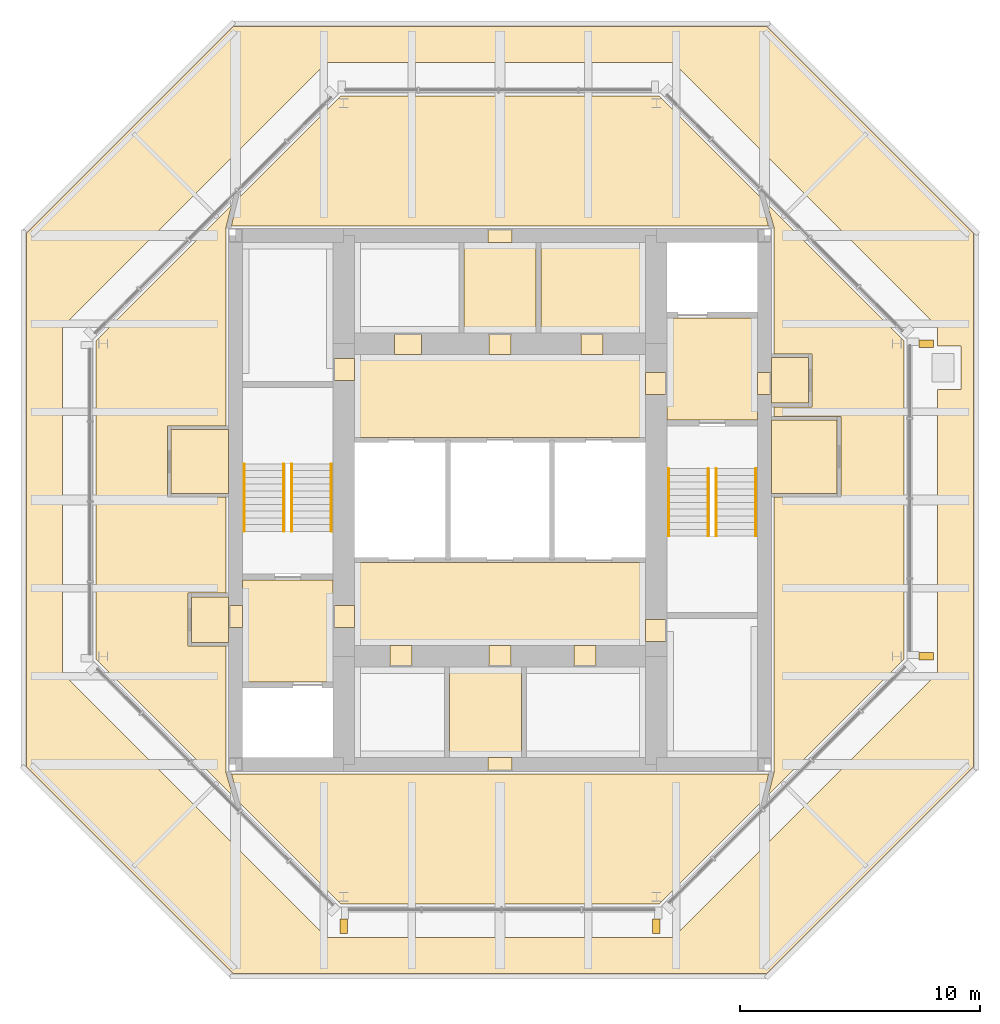
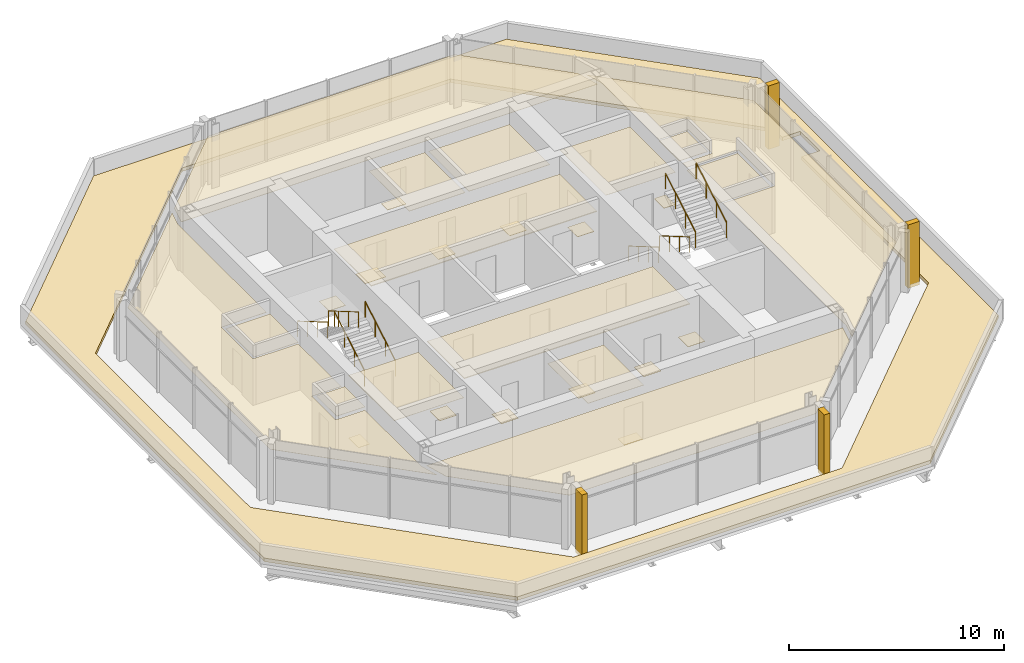
# One storey, part 10 of 10: 34 coverings, 8 railings.
"""IFC4 building model written with IfcOpenShell, lengths in metres."""

from ifc_helpers import new_model, si_unit, direction, frame, origin, origin_2d, place, context, subcontext, project, spatial, polyline, rectangle, circle, outline, extrude, material, layer, layer_set, type_object, element, save


model = new_model("IFC4")

# Units and contexts
model_context = context("Model", 3, precision=1e-05, world=origin(), true_north=direction((0.0, 1.0)))
body_context = subcontext(model_context, "Body", "Model", "MODEL_VIEW")
ifc_project = project(units=[si_unit("LENGTHUNIT", "METRE"), si_unit("AREAUNIT", "SQUARE_METRE"), si_unit("VOLUMEUNIT", "CUBIC_METRE"), si_unit("PLANEANGLEUNIT", "RADIAN"), si_unit("MASSUNIT", "GRAM", prefix="KILO")], contexts=[model_context])

# Site, building, storey
site_placement = place(None, origin())
site = spatial("IfcSite", under=ifc_project, at=site_placement, CompositionType="ELEMENT")
building_placement = place(site_placement, origin())
building = spatial("IfcBuilding", under=site, at=building_placement, Name="Trevanion Tower", CompositionType="ELEMENT")
storey_placement = place(building_placement, frame((0.0, 0.0, 263.199951171875)))
storey = spatial("IfcBuildingStorey", under=building, at=storey_placement, Name="L64", CompositionType="ELEMENT", Elevation=263.199951171875)

# Coverings
ifc_material_1 = material(Name="Fibrous plaster coffers on suspended steel grid", Category="steel")
ifc_layer_1 = layer(ifc_material_1, 0.050048828125)
ifc_layer_set_1 = layer_set([ifc_layer_1], Name="CL1 coffered fibrous plaster ceiling 50")
covering_type_1 = type_object("IfcCoveringType", Name="CL1 coffered fibrous plaster ceiling 50", PredefinedType="CEILING", material=ifc_layer_set_1)
covering_1_placement = place(storey_placement, frame((0.0, 0.0, 2.530029296875)))
element("IfcCovering", 1, at=covering_1_placement, inside=storey, type_object=covering_type_1, Name="CL1 L64-LBN", PredefinedType="CEILING", context=body_context, shape_type="SweptSolid", body=[
    extrude(outline(polyline([(6.050048828125, 2.60009765625), (6.050048828125, 6.050048828125), (-6.050048828125, 6.050048828125), (-6.050048828125, 2.60009765625), (6.050048828125, 2.60009765625)])), origin(), (0.0, 0.0, 1.0), 0.050048828125),
])
covering_2_placement = place(storey_placement, frame((0.0, 0.0, 2.530029296875)))
element("IfcCovering", 2, at=covering_2_placement, inside=storey, type_object=covering_type_1, Name="CL1 L64-LBS", PredefinedType="CEILING", context=body_context, shape_type="SweptSolid", body=[
    extrude(outline(polyline([(6.050048828125, -6.050048828125), (6.050048828125, -2.60009765625), (-6.050048828125, -2.60009765625), (-6.050048828125, -6.050048828125), (6.050048828125, -6.050048828125)])), origin(), (0.0, 0.0, 1.0), 0.050048828125),
])
ifc_material_2 = material(Name="Mineral fibre acoustic tiles in exposed grid", Category="mineral fibre")
ifc_layer_2 = layer(ifc_material_2, 0.02001953125)
ifc_layer_set_2 = layer_set([ifc_layer_2], Name="CL2 acoustic tile ceiling 20")
covering_type_2 = type_object("IfcCoveringType", Name="CL2 acoustic tile ceiling 20", PredefinedType="CEILING", material=ifc_layer_set_2)
covering_3_placement = place(storey_placement, frame((0.0, 0.0, 2.56005859375)))
element("IfcCovering", 3, at=covering_3_placement, inside=storey, type_object=covering_type_2, Name="CL2 L64-CNC", PredefinedType="CEILING", context=body_context, shape_type="SweptSolid", body=[
    extrude(outline(polyline([(1.5, 6.949951171875), (1.5, 10.699951171875), (-1.5, 10.699951171875), (-1.5, 6.949951171875), (1.5, 6.949951171875)])), origin(), (0.0, 0.0, 1.0), 0.02001953125),
])
covering_4_placement = place(storey_placement, frame((0.0, 0.0, 2.56005859375)))
element("IfcCovering", 4, at=covering_4_placement, inside=storey, type_object=covering_type_2, Name="CL2 L64-CSC", PredefinedType="CEILING", context=body_context, shape_type="SweptSolid", body=[
    extrude(outline(polyline([(0.89990234375, -10.699951171875), (0.89990234375, -6.949951171875), (-2.10009765625, -6.949951171875), (-2.10009765625, -10.699951171875), (0.89990234375, -10.699951171875)])), origin(), (0.0, 0.0, 1.0), 0.02001953125),
])
covering_5_placement = place(storey_placement, frame((0.0, 0.0, 2.634033203125)))
element("IfcCovering", 5, at=covering_5_placement, inside=storey, type_object=covering_type_2, Name="CL2 L64-RNL", PredefinedType="CEILING", context=body_context, shape_type="SweptSolid", body=[
    extrude(outline(polyline([(-6.624267578125, 16.800048828125), (6.624267578125, 16.800048828125), (10.817626953125, 12.606689453125), (11.1669921875, 11.39990234375), (-11.172119140625, 11.39990234375), (-10.8916015625, 12.53271484375), (-6.624267578125, 16.800048828125)])), origin(), (0.0, 0.0, 1.0), 0.02001953125),
])
ifc_material_3 = material(Name="Gypsum plasterboard on suspended metal furring", Category="gypsum")
ifc_layer_3 = layer(ifc_material_3, 0.012939453125)
ifc_layer_set_3 = layer_set([ifc_layer_3], Name="CL3 plasterboard ceiling 13")
covering_type_3 = type_object("IfcCoveringType", Name="CL3 plasterboard ceiling 13", PredefinedType="CEILING", material=ifc_layer_set_3)
covering_6_placement = place(storey_placement, frame((0.0, 0.0, 2.699951171875)))
element("IfcCovering", 6, at=covering_6_placement, inside=storey, type_object=covering_type_3, Name="CL3 L64-FV1", PredefinedType="CEILING", context=body_context, shape_type="SweptSolid", body=[
    extrude(outline(polyline([(10.699951171875, 3.324951171875), (10.699951171875, 7.574951171875), (6.949951171875, 7.574951171875), (6.949951171875, 3.324951171875), (10.699951171875, 3.324951171875)])), origin(), (0.0, 0.0, 1.0), 0.01318359375),
])
covering_7_placement = place(storey_placement, frame((0.0, 0.0, 2.699951171875)))
element("IfcCovering", 7, at=covering_7_placement, inside=storey, type_object=covering_type_3, Name="CL3 L64-FV2", PredefinedType="CEILING", context=body_context, shape_type="SweptSolid", body=[
    extrude(outline(polyline([(-10.699951171875, -3.324951171875), (-10.699951171875, -7.574951171875), (-6.949951171875, -7.574951171875), (-6.949951171875, -3.324951171875), (-10.699951171875, -3.324951171875)])), origin(), (0.0, 0.0, 1.0), 0.01318359375),
])
covering_8_placement = place(storey_placement, frame((0.0, 0.0, 2.567138671875)))
element("IfcCovering", 8, at=covering_8_placement, inside=storey, type_object=covering_type_3, Name="CL3 L64-RSN", PredefinedType="CEILING", context=body_context, shape_type="SweptSolid", body=[
    extrude(outline(polyline([(6.050048828125, 6.949951171875), (6.050048828125, 10.699951171875), (1.699951171875, 10.699951171875), (1.699951171875, 6.949951171875), (6.050048828125, 6.949951171875)])), origin(), (0.0, 0.0, 1.0), 0.012939453125),
])
covering_9_placement = place(storey_placement, frame((0.0, 0.0, 2.699951171875)))
element("IfcCovering", 9, at=covering_9_placement, inside=storey, type_object=covering_type_3, Name="CL3 L64-REE", PredefinedType="CEILING", context=body_context, shape_type="SweptSolid", body=[
    extrude(outline(polyline([(12.824951171875, 4.02490234375), (12.824951171875, 5.925048828125), (11.300048828125, 5.925048828125), (11.300048828125, 4.02490234375), (12.824951171875, 4.02490234375)])), origin(), (0.0, 0.0, 1.0), 0.01318359375),
])
covering_10_placement = place(storey_placement, frame((0.0, 0.0, 2.64111328125)))
element("IfcCovering", 10, at=covering_10_placement, inside=storey, type_object=covering_type_3, Name="CL3 L64-REL", PredefinedType="CEILING", context=body_context, shape_type="SweptSolid", body=[
    extrude(outline(polyline([(16.800048828125, -6.624267578125), (11.16552734375, -12.2587890625), (11.39990234375, -11.312255859375), (11.39990234375, 0.125), (14.175048828125, 0.125), (14.175048828125, 3.47509765625), (11.39990234375, 3.47509765625), (11.39990234375, 3.875), (12.97509765625, 3.875), (12.97509765625, 6.074951171875), (11.39990234375, 6.074951171875), (11.39990234375, 11.314208984375), (11.110595703125, 12.313720703125), (16.800048828125, 6.624267578125), (16.800048828125, -6.624267578125)])), origin(), (0.0, 0.0, 1.0), 0.012939453125),
])
covering_11_placement = place(storey_placement, frame((0.0, 0.0, 2.699951171875)))
element("IfcCovering", 11, at=covering_11_placement, inside=storey, type_object=covering_type_3, Name="CL3 L64-RWE", PredefinedType="CEILING", context=body_context, shape_type="SweptSolid", body=[
    extrude(outline(polyline([(-12.824951171875, -4.02490234375), (-12.824951171875, -5.925048828125), (-11.300048828125, -5.925048828125), (-11.300048828125, -4.02490234375), (-12.824951171875, -4.02490234375)])), origin(), (0.0, 0.0, 1.0), 0.01318359375),
])
covering_12_placement = place(storey_placement, frame((0.0, 0.0, 2.64111328125)))
element("IfcCovering", 12, at=covering_12_placement, inside=storey, type_object=covering_type_3, Name="CL3 L64-RWL", PredefinedType="CEILING", context=body_context, shape_type="SweptSolid", body=[
    extrude(outline(polyline([(-16.800048828125, 6.624267578125), (-11.16552734375, 12.2587890625), (-11.39990234375, 11.312255859375), (-11.39990234375, 3.074951171875), (-13.824951171875, 3.074951171875), (-13.824951171875, 0.125), (-11.39990234375, 0.125), (-11.39990234375, -3.875), (-12.97509765625, -3.875), (-12.97509765625, -6.074951171875), (-11.39990234375, -6.074951171875), (-11.39990234375, -11.314208984375), (-11.110595703125, -12.313720703125), (-16.800048828125, -6.624267578125), (-16.800048828125, 6.624267578125)])), origin(), (0.0, 0.0, 1.0), 0.012939453125),
])
covering_13_placement = place(storey_placement, frame((0.0, 0.0, 2.64111328125)))
element("IfcCovering", 13, at=covering_13_placement, inside=storey, type_object=covering_type_3, Name="CL3 L64-RSL", PredefinedType="CEILING", context=body_context, shape_type="SweptSolid", body=[
    extrude(outline(polyline([(-6.624267578125, -16.800048828125), (-10.817626953125, -12.606689453125), (-11.1669921875, -11.39990234375), (11.172119140625, -11.39990234375), (10.8916015625, -12.53271484375), (6.624267578125, -16.800048828125), (-6.624267578125, -16.800048828125)])), origin(), (0.0, 0.0, 1.0), 0.012939453125),
])
ifc_material_4 = material(Name="Moisture-resistant gypsum board on suspended metal furring", Category="gypsum")
ifc_layer_4 = layer(ifc_material_4, 0.01611328125)
ifc_layer_set_4 = layer_set([ifc_layer_4], Name="CL4 moisture-resistant board ceiling 16")
covering_type_4 = type_object("IfcCoveringType", Name="CL4 moisture-resistant board ceiling 16", PredefinedType="CEILING", material=ifc_layer_set_4)
covering_14_placement = place(storey_placement, frame((0.0, 0.0, 2.60009765625)))
element("IfcCovering", 14, at=covering_14_placement, inside=storey, type_object=covering_type_4, Name="CL4 L64-REK", PredefinedType="CEILING", context=body_context, shape_type="SweptSolid", body=[
    extrude(outline(polyline([(14.02490234375, 0.27490234375), (14.02490234375, 3.324951171875), (11.300048828125, 3.324951171875), (11.300048828125, 0.27490234375), (14.02490234375, 0.27490234375)])), origin(), (0.0, 0.0, 1.0), 0.015869140625),
])
covering_15_placement = place(storey_placement, frame((0.0, 0.0, 2.60009765625)))
element("IfcCovering", 15, at=covering_15_placement, inside=storey, type_object=covering_type_4, Name="CL4 L64-RWT", PredefinedType="CEILING", context=body_context, shape_type="SweptSolid", body=[
    extrude(outline(polyline([(-13.675048828125, 2.925048828125), (-13.675048828125, 0.27490234375), (-11.300048828125, 0.27490234375), (-11.300048828125, 2.925048828125), (-13.675048828125, 2.925048828125)])), origin(), (0.0, 0.0, 1.0), 0.015869140625),
])
ifc_material_5 = material(Name="Cast bronze fin on aluminium carrier", Category="aluminium")
covering_type_5 = type_object("IfcCoveringType", Name="F1 bronze fin", PredefinedType="CLADDING", material=ifc_material_5)
for number, where, z_axis, x_axis, name in (
    (16, (17.72509765625, -6.5, -0.18994140625), (0.0, 0.0, 1.0), (0.0, 1.0, 0.0), "F1 L64 east -6.5"),
    (17, (17.72509765625, 6.5, -0.18994140625), (0.0, 0.0, 1.0), (0.0, 1.0, 0.0), "F1 L64 east +6.5"),
    (18, (-6.5, -17.72509765625, -0.18994140625), (0.0, 0.0, 1.0), (1.0, 0.0, 0.0), "F1 L64 south -6.5"),
    (19, (6.5, -17.72509765625, -0.18994140625), (0.0, 0.0, 1.0), (1.0, 0.0, 0.0), "F1 L64 south +6.5"),
):
    element("IfcCovering", number, at=place(storey_placement, frame(where, z_axis=z_axis, x_axis=x_axis)), inside=storey, type_object=covering_type_5, Name=name, PredefinedType="CLADDING", context=body_context, shape_type="SweptSolid", body=[
        extrude(rectangle(XDim=0.300048828125, YDim=0.60009765625, at=origin_2d()), origin(), (0.0, 0.0, 1.0), 3.60009765625),
    ])
ifc_material_6 = material(Name="Terrazzo, brass divider strips", Category="stone")
ifc_layer_5 = layer(ifc_material_6, 0.02001953125)
ifc_layer_set_5 = layer_set([ifc_layer_5], Name="FF1 terrazzo flooring")
covering_type_6 = type_object("IfcCoveringType", Name="FF1 terrazzo flooring", PredefinedType="FLOORING", material=ifc_layer_set_5)
covering_16_placement = place(storey_placement, origin())
element("IfcCovering", 20, at=covering_16_placement, inside=storey, type_object=covering_type_6, Name="FF1 threshold 64-001", PredefinedType="FLOORING", context=body_context, shape_type="SweptSolid", body=[
    extrude(outline(polyline([(11.300048828125, 4.392578125), (11.300048828125, 5.3076171875), (10.699951171875, 5.3076171875), (10.699951171875, 4.392578125), (11.300048828125, 4.392578125)])), origin(), (0.0, 0.0, 1.0), 0.02001953125),
])
covering_17_placement = place(storey_placement, origin())
element("IfcCovering", 21, at=covering_17_placement, inside=storey, type_object=covering_type_6, Name="FF1 threshold 64-002", PredefinedType="FLOORING", context=body_context, shape_type="SweptSolid", body=[
    extrude(outline(polyline([(-11.300048828125, -4.392578125), (-11.300048828125, -5.3076171875), (-10.699951171875, -5.3076171875), (-10.699951171875, -4.392578125), (-11.300048828125, -4.392578125)])), origin(), (0.0, 0.0, 1.0), 0.02001953125),
])
covering_18_placement = place(storey_placement, origin())
element("IfcCovering", 22, at=covering_18_placement, inside=storey, type_object=covering_type_6, Name="FF1 threshold 64-003", PredefinedType="FLOORING", context=body_context, shape_type="SweptSolid", body=[
    extrude(outline(polyline([(6.949951171875, 4.392578125), (6.949951171875, 5.3076171875), (6.050048828125, 5.3076171875), (6.050048828125, 4.392578125), (6.949951171875, 4.392578125)])), origin(), (0.0, 0.0, 1.0), 0.02001953125),
])
covering_19_placement = place(storey_placement, origin())
element("IfcCovering", 23, at=covering_19_placement, inside=storey, type_object=covering_type_6, Name="FF1 threshold 64-004", PredefinedType="FLOORING", context=body_context, shape_type="SweptSolid", body=[
    extrude(outline(polyline([(-6.949951171875, -4.392578125), (-6.949951171875, -5.3076171875), (-6.050048828125, -5.3076171875), (-6.050048828125, -4.392578125), (-6.949951171875, -4.392578125)])), origin(), (0.0, 0.0, 1.0), 0.02001953125),
])
covering_20_placement = place(storey_placement, origin())
element("IfcCovering", 24, at=covering_20_placement, inside=storey, type_object=covering_type_6, Name="FF1 threshold 64-009", PredefinedType="FLOORING", context=body_context, shape_type="SweptSolid", body=[
    extrude(outline(polyline([(6.949951171875, -5.889892578125), (6.949951171875, -4.97509765625), (6.050048828125, -4.97509765625), (6.050048828125, -5.889892578125), (6.949951171875, -5.889892578125)])), origin(), (0.0, 0.0, 1.0), 0.02001953125),
])
covering_21_placement = place(storey_placement, origin())
element("IfcCovering", 25, at=covering_21_placement, inside=storey, type_object=covering_type_6, Name="FF1 threshold 64-010", PredefinedType="FLOORING", context=body_context, shape_type="SweptSolid", body=[
    extrude(outline(polyline([(-6.949951171875, 5.889892578125), (-6.949951171875, 4.97509765625), (-6.050048828125, 4.97509765625), (-6.050048828125, 5.889892578125), (-6.949951171875, 5.889892578125)])), origin(), (0.0, 0.0, 1.0), 0.02001953125),
])
covering_22_placement = place(storey_placement, origin())
element("IfcCovering", 26, at=covering_22_placement, inside=storey, type_object=covering_type_6, Name="FF1 threshold 64-017", PredefinedType="FLOORING", context=body_context, shape_type="SweptSolid", body=[
    extrude(outline(polyline([(0.45751953125, 6.949951171875), (-0.45751953125, 6.949951171875), (-0.45751953125, 6.050048828125), (0.45751953125, 6.050048828125), (0.45751953125, 6.949951171875)])), origin(), (0.0, 0.0, 1.0), 0.02001953125),
])
covering_23_placement = place(storey_placement, origin())
element("IfcCovering", 27, at=covering_23_placement, inside=storey, type_object=covering_type_6, Name="FF1 threshold 64-018", PredefinedType="FLOORING", context=body_context, shape_type="SweptSolid", body=[
    extrude(outline(polyline([(0.5, 11.300048828125), (-0.5, 11.300048828125), (-0.5, 10.699951171875), (0.5, 10.699951171875), (0.5, 11.300048828125)])), origin(), (0.0, 0.0, 1.0), 0.02001953125),
])
covering_24_placement = place(storey_placement, origin())
element("IfcCovering", 28, at=covering_24_placement, inside=storey, type_object=covering_type_6, Name="FF1 threshold 64-019", PredefinedType="FLOORING", context=body_context, shape_type="SweptSolid", body=[
    extrude(outline(polyline([(-3.26611328125, 6.949951171875), (-4.384033203125, 6.949951171875), (-4.384033203125, 6.050048828125), (-3.26611328125, 6.050048828125), (-3.26611328125, 6.949951171875)])), origin(), (0.0, 0.0, 1.0), 0.02001953125),
])
covering_25_placement = place(storey_placement, origin())
element("IfcCovering", 29, at=covering_25_placement, inside=storey, type_object=covering_type_6, Name="FF1 threshold 64-020", PredefinedType="FLOORING", context=body_context, shape_type="SweptSolid", body=[
    extrude(outline(polyline([(4.282470703125, 6.949951171875), (3.367431640625, 6.949951171875), (3.367431640625, 6.050048828125), (4.282470703125, 6.050048828125), (4.282470703125, 6.949951171875)])), origin(), (0.0, 0.0, 1.0), 0.02001953125),
])
covering_26_placement = place(storey_placement, origin())
element("IfcCovering", 30, at=covering_26_placement, inside=storey, type_object=covering_type_6, Name="FF1 threshold 64-021", PredefinedType="FLOORING", context=body_context, shape_type="SweptSolid", body=[
    extrude(outline(polyline([(-0.45751953125, -6.949951171875), (0.45751953125, -6.949951171875), (0.45751953125, -6.050048828125), (-0.45751953125, -6.050048828125), (-0.45751953125, -6.949951171875)])), origin(), (0.0, 0.0, 1.0), 0.02001953125),
])
covering_27_placement = place(storey_placement, origin())
element("IfcCovering", 31, at=covering_27_placement, inside=storey, type_object=covering_type_6, Name="FF1 threshold 64-022", PredefinedType="FLOORING", context=body_context, shape_type="SweptSolid", body=[
    extrude(outline(polyline([(-0.5, -11.300048828125), (0.5, -11.300048828125), (0.5, -10.699951171875), (-0.5, -10.699951171875), (-0.5, -11.300048828125)])), origin(), (0.0, 0.0, 1.0), 0.02001953125),
])
covering_28_placement = place(storey_placement, origin())
element("IfcCovering", 32, at=covering_28_placement, inside=storey, type_object=covering_type_6, Name="FF1 threshold 64-023", PredefinedType="FLOORING", context=body_context, shape_type="SweptSolid", body=[
    extrude(outline(polyline([(-4.58251953125, -6.949951171875), (-3.66748046875, -6.949951171875), (-3.66748046875, -6.050048828125), (-4.58251953125, -6.050048828125), (-4.58251953125, -6.949951171875)])), origin(), (0.0, 0.0, 1.0), 0.02001953125),
])
covering_29_placement = place(storey_placement, origin())
element("IfcCovering", 33, at=covering_29_placement, inside=storey, type_object=covering_type_6, Name="FF1 threshold 64-024", PredefinedType="FLOORING", context=body_context, shape_type="SweptSolid", body=[
    extrude(outline(polyline([(3.0673828125, -6.949951171875), (3.982421875, -6.949951171875), (3.982421875, -6.050048828125), (3.0673828125, -6.050048828125), (3.0673828125, -6.949951171875)])), origin(), (0.0, 0.0, 1.0), 0.02001953125),
])

# Railings
ifc_material_7 = material(Name="Stainless steel tube 40 mm", Category="steel")
railing_type = type_object("IfcRailingType", Name="HR1 handrail", PredefinedType="HANDRAIL", material=ifc_material_7)
for number, where, name in (
    (34, (7.010009765625, 1.300048828125, 0.16357421875), "HR1 ST1 L64 flight 1"),
    (35, (8.6650390625, 1.300048828125, 0.16357421875), "HR1 ST1 L64 flight 1"),
):
    element("IfcRailing", number, at=place(storey_placement, frame(where)), inside=storey, type_object=railing_type, Name=name, PredefinedType="HANDRAIL", context=body_context, shape_type="SweptSolid", body=[
        extrude(circle(Radius=0.02001953125, at=origin_2d()), frame((0.0, 0.0, 0.8798828125), z_axis=(0.0, -0.863360870873, 0.504586966384), x_axis=(1.0, 0.0, 0.0)), (0.0, 0.0, 1.0), 3.2431640625),
        extrude(circle(Radius=0.01513671875, at=origin_2d()), origin(), (0.0, 0.0, 1.0), 0.85986328125),
        extrude(circle(Radius=0.01513671875, at=origin_2d()), frame((0.0, -0.933349609375, 0.54541015625)), (0.0, 0.0, 1.0), 0.85986328125),
        extrude(circle(Radius=0.01513671875, at=origin_2d()), frame((0.0, -1.86669921875, 1.091064453125)), (0.0, 0.0, 1.0), 0.85986328125),
        extrude(circle(Radius=0.01513671875, at=origin_2d()), frame((0.0, -2.800048828125, 1.636474609375)), (0.0, 0.0, 1.0), 0.85986328125),
    ])
for number, where, name in (
    (36, (8.985107421875, -1.5, 1.963623046875), "HR1 ST1 L64 flight 2"),
    (37, (10.639892578125, -1.5, 1.963623046875), "HR1 ST1 L64 flight 2"),
    (38, (-7.010009765625, -1.300048828125, 0.16357421875), "HR1 ST2 L64 flight 1"),
    (39, (-8.6650390625, -1.300048828125, 0.16357421875), "HR1 ST2 L64 flight 1"),
):
    element("IfcRailing", number, at=place(storey_placement, frame(where)), inside=storey, type_object=railing_type, Name=name, PredefinedType="HANDRAIL", context=body_context, shape_type="SweptSolid", body=[
        extrude(circle(Radius=0.02001953125, at=origin_2d()), frame((0.0, 0.0, 0.8798828125), z_axis=(0.0, 0.863360870873, 0.504586966384), x_axis=(-1.0, 0.0, 0.0)), (0.0, 0.0, 1.0), 3.2431640625),
        extrude(circle(Radius=0.01513671875, at=origin_2d()), origin(), (0.0, 0.0, 1.0), 0.85986328125),
        extrude(circle(Radius=0.01513671875, at=origin_2d()), frame((0.0, 0.933349609375, 0.54541015625)), (0.0, 0.0, 1.0), 0.85986328125),
        extrude(circle(Radius=0.01513671875, at=origin_2d()), frame((0.0, 1.86669921875, 1.091064453125)), (0.0, 0.0, 1.0), 0.85986328125),
        extrude(circle(Radius=0.01513671875, at=origin_2d()), frame((0.0, 2.800048828125, 1.636474609375)), (0.0, 0.0, 1.0), 0.85986328125),
    ])
for number, where, name in (
    (40, (-8.985107421875, 1.5, 1.963623046875), "HR1 ST2 L64 flight 2"),
    (41, (-10.639892578125, 1.5, 1.963623046875), "HR1 ST2 L64 flight 2"),
):
    element("IfcRailing", number, at=place(storey_placement, frame(where)), inside=storey, type_object=railing_type, Name=name, PredefinedType="HANDRAIL", context=body_context, shape_type="SweptSolid", body=[
        extrude(circle(Radius=0.02001953125, at=origin_2d()), frame((0.0, 0.0, 0.8798828125), z_axis=(0.0, -0.863360870873, 0.504586966384), x_axis=(1.0, 0.0, 0.0)), (0.0, 0.0, 1.0), 3.2431640625),
        extrude(circle(Radius=0.01513671875, at=origin_2d()), origin(), (0.0, 0.0, 1.0), 0.85986328125),
        extrude(circle(Radius=0.01513671875, at=origin_2d()), frame((0.0, -0.933349609375, 0.54541015625)), (0.0, 0.0, 1.0), 0.85986328125),
        extrude(circle(Radius=0.01513671875, at=origin_2d()), frame((0.0, -1.86669921875, 1.091064453125)), (0.0, 0.0, 1.0), 0.85986328125),
        extrude(circle(Radius=0.01513671875, at=origin_2d()), frame((0.0, -2.800048828125, 1.636474609375)), (0.0, 0.0, 1.0), 0.85986328125),
    ])

# Covering
ifc_material_8 = material(Name="Precast concrete pavers on pedestals over membrane and extruded polystyrene insulation", Category="concrete")
ifc_layer_6 = layer(ifc_material_8, 0.199951171875)
ifc_layer_set_6 = layer_set([ifc_layer_6], Name="RF2 paver-ballasted roofing 200")
covering_type_7 = type_object("IfcCoveringType", Name="RF2 paver-ballasted roofing 200", PredefinedType="ROOFING", material=ifc_layer_set_6)
covering_30_placement = place(storey_placement, origin())
element("IfcCovering", 42, at=covering_30_placement, inside=storey, type_object=covering_type_7, Name="RF2 L64 setback roof", PredefinedType="ROOFING", context=body_context, shape_type="SweptSolid", body=[
    extrude(outline(polyline([(-11.082763671875, -19.699951171875), (-19.699951171875, -11.082763671875), (-19.699951171875, 11.082763671875), (-11.082763671875, 19.699951171875), (11.082763671875, 19.699951171875), (19.699951171875, 11.082763671875), (19.699951171875, -11.082763671875), (11.082763671875, -19.699951171875), (-11.082763671875, -19.699951171875)]), holes=[polyline([(7.2041015625, 18.199951171875), (-7.2041015625, 18.199951171875), (-18.199951171875, 7.2041015625), (-18.199951171875, -7.2041015625), (-7.2041015625, -18.199951171875), (7.2041015625, -18.199951171875), (18.199951171875, -7.2041015625), (18.199951171875, 4.60009765625), (19.169921875, 4.60009765625), (19.169921875, 6.39990234375), (18.199951171875, 6.39990234375), (18.199951171875, 7.2041015625), (7.2041015625, 18.199951171875)])]), origin(), (0.0, 0.0, 1.0), 0.199951171875),
])

save(model, "model.ifc")
